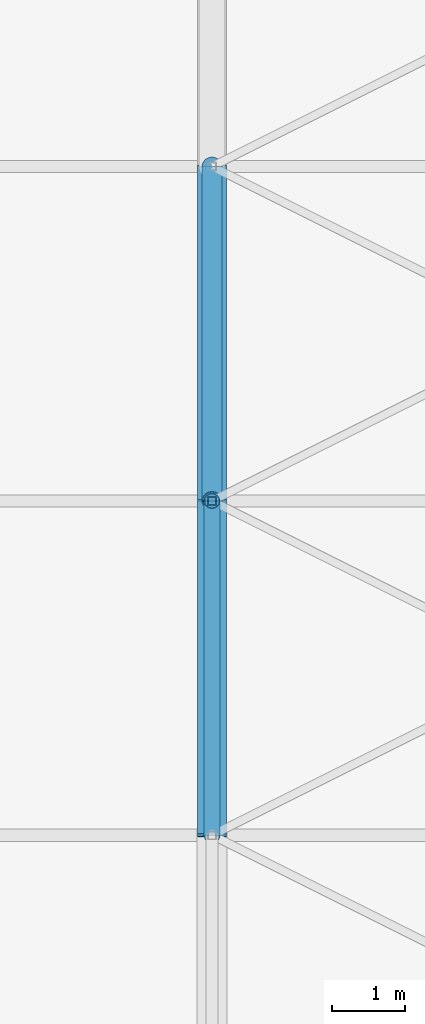
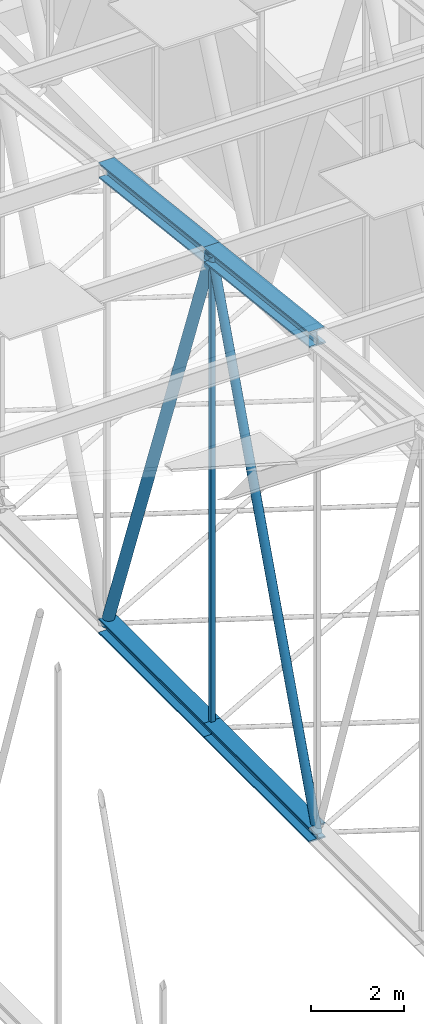
# One storey, part 274 of 500: 7 members.
"""IFC4 building model written with IfcOpenShell, lengths in metres."""

import ifcopenshell
import ifcopenshell.guid

model = None  # the IFC model being written
_history = None  # IfcOwnerHistory: only IFC2X3 demands one
_inside = {}  # id of a spatial element -> (the spatial element, [elements in it])
_under = {}  # id of a project, library or spatial element -> (it, [spatial elements below it])
_declared = {}  # id of a project -> (the project, [libraries it declares])
_typed = {}  # id of a type object -> (the type object, [elements of that type])
_made_of = {}  # id of a material, layer set ... -> (it, [elements and type objects made of it])


def new_model(schema):
    """Start an empty IFC model of exactly this schema.

    Asked for "IFC4X3", IfcOpenShell would pick the latest addendum, in which some entities
    have other attributes; the version numbers below select the first issue.
    IFC2X3 requires an IfcOwnerHistory on every rooted entity: one is made here for all.
    """
    global model, _history
    if schema == "IFC4X3":
        model = ifcopenshell.file(schema_version=(4, 3, 0, 0))
    else:
        model = ifcopenshell.file(schema=schema)
    _inside.clear()
    _under.clear()
    _declared.clear()
    _typed.clear()
    _made_of.clear()
    _history = None
    if model.schema == "IFC2X3":
        org = make("IfcOrganization", Name="unknown")
        user = make(
            "IfcPersonAndOrganization",
            ThePerson=make("IfcPerson", FamilyName="unknown"),
            TheOrganization=org,
        )
        app = make(
            "IfcApplication",
            ApplicationDeveloper=org,
            Version="unknown",
            ApplicationFullName="unknown",
            ApplicationIdentifier="unknown",
        )
        _history = make(
            "IfcOwnerHistory",
            OwningUser=user,
            OwningApplication=app,
            ChangeAction="ADDED",
            CreationDate=0,
        )
    return model


def make(cls, **values):
    """One entity of the class cls with the attributes given. An attribute that is None is left unset."""
    return model.create_entity(
        cls, **{name: value for name, value in values.items() if value is not None}
    )


def rooted(cls, **values):
    """An entity with a GlobalId (a new one), such as an element, a storey or a relation."""
    return make(cls, GlobalId=ifcopenshell.guid.new(), OwnerHistory=_history, **values)


def si_unit(unit_type, name, prefix=None):
    """IfcSIUnit, for example si_unit("LENGTHUNIT", "METRE", prefix="MILLI")."""
    return make("IfcSIUnit", UnitType=unit_type, Prefix=prefix, Name=name)


def assignment(units):
    """IfcUnitAssignment: the units of a project."""
    return None if units is None else make("IfcUnitAssignment", Units=units)


def point(xyz):
    """IfcCartesianPoint."""
    return None if xyz is None else make("IfcCartesianPoint", Coordinates=xyz)


def direction(xyz):
    """IfcDirection."""
    return None if xyz is None else make("IfcDirection", DirectionRatios=xyz)


def frame(location, z_axis=None, x_axis=None):
    """IfcAxis2Placement3D, a coordinate frame: its origin and axes. An axis left out is left unset."""
    return make(
        "IfcAxis2Placement3D",
        Location=point(location),
        Axis=direction(z_axis),
        RefDirection=direction(x_axis),
    )


def frame_2d(location, x_axis=None):
    """IfcAxis2Placement2D, a coordinate frame in the plane: its origin and x axis."""
    return make(
        "IfcAxis2Placement2D", Location=point(location), RefDirection=direction(x_axis)
    )


def origin():
    """The frame at (0, 0, 0) with its axes left unset."""
    return frame((0.0, 0.0, 0.0))


def origin_2d():
    """The frame at (0, 0) in the plane with its x axis left unset."""
    return frame_2d((0.0, 0.0))


def place(relative_to, where):
    """IfcLocalPlacement: puts the frame where relative to a parent placement (None: the world)."""
    return make(
        "IfcLocalPlacement", PlacementRelTo=relative_to, RelativePlacement=where
    )


def context(
    kind, dimensions, precision=None, world=None, true_north=None, identifier=None
):
    """IfcGeometricRepresentationContext, for example the 3D "Model" context."""
    return make(
        "IfcGeometricRepresentationContext",
        ContextIdentifier=identifier,
        ContextType=kind,
        CoordinateSpaceDimension=dimensions,
        Precision=precision,
        WorldCoordinateSystem=world,
        TrueNorth=true_north,
    )


def subcontext(parent, identifier, kind, view, scale=None):
    """IfcGeometricRepresentationSubContext, for example "Body" below "Model"."""
    return make(
        "IfcGeometricRepresentationSubContext",
        ContextIdentifier=identifier,
        ContextType=kind,
        ParentContext=parent,
        TargetScale=scale,
        TargetView=view,
    )


def project(units=None, contexts=None):
    """IfcProject with its units and contexts."""
    return rooted(
        "IfcProject",
        Name="project",
        RepresentationContexts=contexts,
        UnitsInContext=assignment(units),
    )


def spatial(cls, under=None, at=None, **own):
    """A site, building, storey or space (cls), placed at a placement, below another one or the project."""
    s = rooted(cls, ObjectPlacement=at, **own)
    if under is not None:
        _under.setdefault(under.id(), (under, []))[1].append(s)
    return s


def profile(cls, at=None, kind="AREA", **sizes):
    """A parametric profile (cls). Its sizes go by their IFC names, for example OverallWidth=200.0."""
    return make(cls, ProfileType=kind, Position=at, **sizes)


def hollow_rectangle(**sizes):
    """IfcRectangleHollowProfileDef."""
    return profile("IfcRectangleHollowProfileDef", **sizes)


def hollow_circle(**sizes):
    """IfcCircleHollowProfileDef."""
    return profile("IfcCircleHollowProfileDef", **sizes)


def i_section(**sizes):
    """IfcIShapeProfileDef."""
    return profile("IfcIShapeProfileDef", **sizes)


def extrude(swept, where, along, depth):
    """IfcExtrudedAreaSolid: the profile swept, set in the frame where, extruded along a direction by depth."""
    return make(
        "IfcExtrudedAreaSolid",
        SweptArea=swept,
        Position=where,
        ExtrudedDirection=direction(along),
        Depth=depth,
    )


def shape(context_of_items, identifier, shape_type, items):
    """IfcShapeRepresentation: the items that make up one representation, for example the "Body"."""
    return make(
        "IfcShapeRepresentation",
        ContextOfItems=context_of_items,
        RepresentationIdentifier=identifier,
        RepresentationType=shape_type,
        Items=items,
    )


def material(Name=None, Category=None):
    """IfcMaterial."""
    return make("IfcMaterial", Name=Name, Category=Category)


def material_profile(
    of_material, cross_section, Name=None, Category=None, Priority=None
):
    """IfcMaterialProfile: a cross section and its material."""
    return make(
        "IfcMaterialProfile",
        Name=Name,
        Material=of_material,
        Profile=cross_section,
        Priority=Priority,
        Category=Category,
    )


def profile_set(profiles, Name=None, composite=None):
    """IfcMaterialProfileSet."""
    return make(
        "IfcMaterialProfileSet",
        Name=Name,
        MaterialProfiles=profiles,
        CompositeProfile=composite,
    )


def made_of(thing, what):
    """Note that an element or type object is made of a material, layer set ...; save() writes the relation."""
    if what is not None:
        _made_of.setdefault(what.id(), (what, []))[1].append(thing)
    return thing


def type_object(cls, material=None, **own):
    """A type object (cls), such as IfcWallType, which elements share."""
    return made_of(rooted(cls, **own), material)


def element(
    cls,
    number,
    at=None,
    inside=None,
    cuts=None,
    type_object=None,
    material=None,
    context=None,
    identifier="Body",
    shape_type=None,
    held_by="IfcProductDefinitionShape",
    body=None,
    shapes=None,
    **own,
):
    """One element of the class cls, such as IfcWall. Its Tag is "e" and its number.

    at: its placement. inside: the storey or other place that contains it. cuts: it is an
    opening in that element (IfcRelVoidsElement). A single representation is given by context,
    identifier, shape_type and body (its items); several are given by shapes. held_by: the class
    of the entity that holds the representations. save() writes the other relations.
    """
    e = rooted(cls, Tag="e%d" % number, ObjectPlacement=at, **own)
    if body is not None:
        shapes = [shape(context, identifier, shape_type, body)]
    if shapes is not None:
        e.Representation = make(held_by, Representations=shapes)
    if inside is not None:
        _inside.setdefault(inside.id(), (inside, []))[1].append(e)
    if cuts is not None:
        rooted(
            "IfcRelVoidsElement", RelatingBuildingElement=cuts, RelatedOpeningElement=e
        )
    if type_object is not None:
        _typed.setdefault(type_object.id(), (type_object, []))[1].append(e)
    return made_of(e, material)


def aggregate(whole, parts):
    """IfcRelAggregates: a whole, such as a stair, and the parts it consists of."""
    return rooted("IfcRelAggregates", RelatingObject=whole, RelatedObjects=parts)


def save(model, path):
    """Write the relations noted so far, then the file.

    IfcRelAggregates (storeys below a building ...), IfcRelContainedInSpatialStructure (elements
    in a storey), IfcRelDefinesByType, IfcRelAssociatesMaterial and IfcRelDeclares: one each for
    every whole, place, type object, material and project.
    """
    for whole, parts in _under.values():
        aggregate(whole, parts)
    for where, things in _inside.values():
        rooted(
            "IfcRelContainedInSpatialStructure",
            RelatedElements=things,
            RelatingStructure=where,
        )
    for kind, things in _typed.values():
        rooted("IfcRelDefinesByType", RelatedObjects=things, RelatingType=kind)
    for what, things in _made_of.values():
        rooted("IfcRelAssociatesMaterial", RelatedObjects=things, RelatingMaterial=what)
    for by, libraries in _declared.values():
        rooted("IfcRelDeclares", RelatingContext=by, RelatedDefinitions=libraries)
    model.write(path)


model = new_model("IFC4")

# Units and contexts
model_context = context("Model", 3, precision=1e-05, world=origin(), true_north=direction((0.0, 1.0)))
body_context = subcontext(model_context, "Body", "Model", "MODEL_VIEW")
ifc_project = project(units=[si_unit("LENGTHUNIT", "METRE"), si_unit("AREAUNIT", "SQUARE_METRE"), si_unit("VOLUMEUNIT", "CUBIC_METRE"), si_unit("PLANEANGLEUNIT", "RADIAN"), si_unit("MASSUNIT", "GRAM", prefix="KILO")], contexts=[model_context])

# Site, building, storey
site_placement = place(None, origin())
site = spatial("IfcSite", under=ifc_project, at=site_placement, CompositionType="ELEMENT")
building_placement = place(site_placement, origin())
building = spatial("IfcBuilding", under=site, at=building_placement, Name="Shirokan Park Arena", CompositionType="ELEMENT")
storey_placement = place(building_placement, frame((0.0, 0.0, 29.1201171875)))
storey = spatial("IfcBuildingStorey", under=building, at=storey_placement, Name="L06", CompositionType="ELEMENT", Elevation=29.1201171875)

# Members
ifc_material_1 = material(Name="Steel ASTM A992", Category="steel")
ifc_material_profile_1 = material_profile(ifc_material_1, i_section(OverallWidth=0.40087890625, OverallDepth=0.39892578125, WebThickness=0.02490234375, FlangeThickness=0.03955078125, at=origin_2d()), Name="W360X314")
ifc_profile_set_1 = profile_set([ifc_material_profile_1], Name="Steel ASTM A992")
member_type_1 = type_object("IfcMemberType", Name="Bottom chord W360X314", PredefinedType="CHORD", material=ifc_profile_set_1)
for number, where, z_axis, x_axis, name in (
    (1, (91.0, 63.699951171875, 4.677001953125), (0.0, 1.0, 0.0), (-1.0, 0.0, 0.0), "Truss T11 bottom chord 17"),
    (2, (91.0, 68.25, 4.677001953125), (0.0, 1.0, 0.0), (-1.0, 0.0, 0.0), "Truss T11 bottom chord 18"),
):
    element("IfcMember", number, at=place(storey_placement, frame(where, z_axis=z_axis, x_axis=x_axis)), inside=storey, type_object=member_type_1, Name=name, PredefinedType="CHORD", context=body_context, shape_type="SweptSolid", body=[
        extrude(i_section(OverallWidth=0.40087890625, OverallDepth=0.39892578125, WebThickness=0.02490234375, FlangeThickness=0.03955078125, at=origin_2d()), origin(), (0.0, 0.0, 1.0), 4.550048828125),
    ])
ifc_material_profile_2 = material_profile(ifc_material_1, i_section(OverallWidth=0.40087890625, OverallDepth=0.39892578125, WebThickness=0.02490234375, FlangeThickness=0.03955078125, at=origin_2d()), Name="W360X314")
ifc_profile_set_2 = profile_set([ifc_material_profile_2], Name="Steel ASTM A992")
member_type_2 = type_object("IfcMemberType", Name="Top chord W360X314", PredefinedType="CHORD", material=ifc_profile_set_2)
for number, where, z_axis, x_axis, name in (
    (3, (91.0, 63.699951171875, 17.741455078125), (0.0, 0.993532328996, -0.113549598152), (-1.0, 0.0, 0.0), "Truss T11 top chord 17"),
    (4, (91.0, 68.25, 17.221435546875), (0.0, 0.993532328996, -0.113549598152), (-1.0, 0.0, 0.0), "Truss T11 top chord 18"),
):
    element("IfcMember", number, at=place(storey_placement, frame(where, z_axis=z_axis, x_axis=x_axis)), inside=storey, type_object=member_type_2, Name=name, PredefinedType="CHORD", context=body_context, shape_type="SweptSolid", body=[
        extrude(i_section(OverallWidth=0.40087890625, OverallDepth=0.39892578125, WebThickness=0.02490234375, FlangeThickness=0.03955078125, at=origin_2d()), origin(), (0.0, 0.0, 1.0), 4.57958984375),
    ])
ifc_material_2 = material(Name="Steel ASTM A500 Grade C", Category="steel")
ifc_material_profile_3 = material_profile(ifc_material_2, hollow_circle(Radius=0.109619140625, WallThickness=0.009521484375, at=origin_2d()), Name="HSS219.1X9.5")
ifc_profile_set_3 = profile_set([ifc_material_profile_3], Name="Steel ASTM A500 Grade C")
member_type_3 = type_object("IfcMemberType", Name="Truss diagonal HSS219.1X9.5", PredefinedType="BRACE", material=ifc_profile_set_3)
member_1_placement = place(storey_placement, frame((91.0, 63.699951171875, 4.677001953125), z_axis=(0.0, 0.340977600467, 0.94007142068), x_axis=(-1.0, 0.0, 0.0)))
element("IfcMember", 5, at=member_1_placement, inside=storey, type_object=member_type_3, Name="Truss T11 diagonal 17", PredefinedType="BRACE", context=body_context, shape_type="SweptSolid", body=[
    extrude(hollow_circle(Radius=0.109619140625, WallThickness=0.009521484375, at=origin_2d()), origin(), (0.0, 0.0, 1.0), 13.34423828125),
])
ifc_material_profile_4 = material_profile(ifc_material_2, hollow_circle(Radius=0.136474609375, WallThickness=0.009521484375, at=origin_2d()), Name="HSS273.1X9.5")
ifc_profile_set_4 = profile_set([ifc_material_profile_4], Name="Steel ASTM A500 Grade C")
member_type_4 = type_object("IfcMemberType", Name="Truss diagonal HSS273.1X9.5", PredefinedType="BRACE", material=ifc_profile_set_4)
member_2_placement = place(storey_placement, frame((91.0, 68.25, 17.221435546875), z_axis=(0.0, 0.340977600467, -0.94007142068), x_axis=(-1.0, 0.0, 0.0)))
element("IfcMember", 6, at=member_2_placement, inside=storey, type_object=member_type_4, Name="Truss T11 diagonal 18", PredefinedType="BRACE", context=body_context, shape_type="SweptSolid", body=[
    extrude(hollow_circle(Radius=0.136474609375, WallThickness=0.009521484375, at=origin_2d()), origin(), (0.0, 0.0, 1.0), 13.34423828125),
])
ifc_material_profile_5 = material_profile(ifc_material_2, hollow_rectangle(XDim=0.114013671875, YDim=0.114013671875, WallThickness=0.00634765625, at=origin_2d()), Name="HSS114.3X114.3X6.4")
ifc_profile_set_5 = profile_set([ifc_material_profile_5], Name="Steel ASTM A500 Grade C")
member_type_5 = type_object("IfcMemberType", Name="Truss post HSS114.3X114.3X6.4", PredefinedType="POST", material=ifc_profile_set_5)
member_3_placement = place(storey_placement, frame((91.0, 68.25, 4.677001953125), z_axis=(0.0, 0.0, 1.0), x_axis=(1.0, 0.0, 0.0)))
element("IfcMember", 7, at=member_3_placement, inside=storey, type_object=member_type_5, Name="Truss T11 post 18", PredefinedType="POST", context=body_context, shape_type="SweptSolid", body=[
    extrude(hollow_rectangle(XDim=0.114013671875, YDim=0.114013671875, WallThickness=0.00634765625, at=origin_2d()), origin(), (0.0, 0.0, 1.0), 12.54443359375),
])

save(model, "model.ifc")
